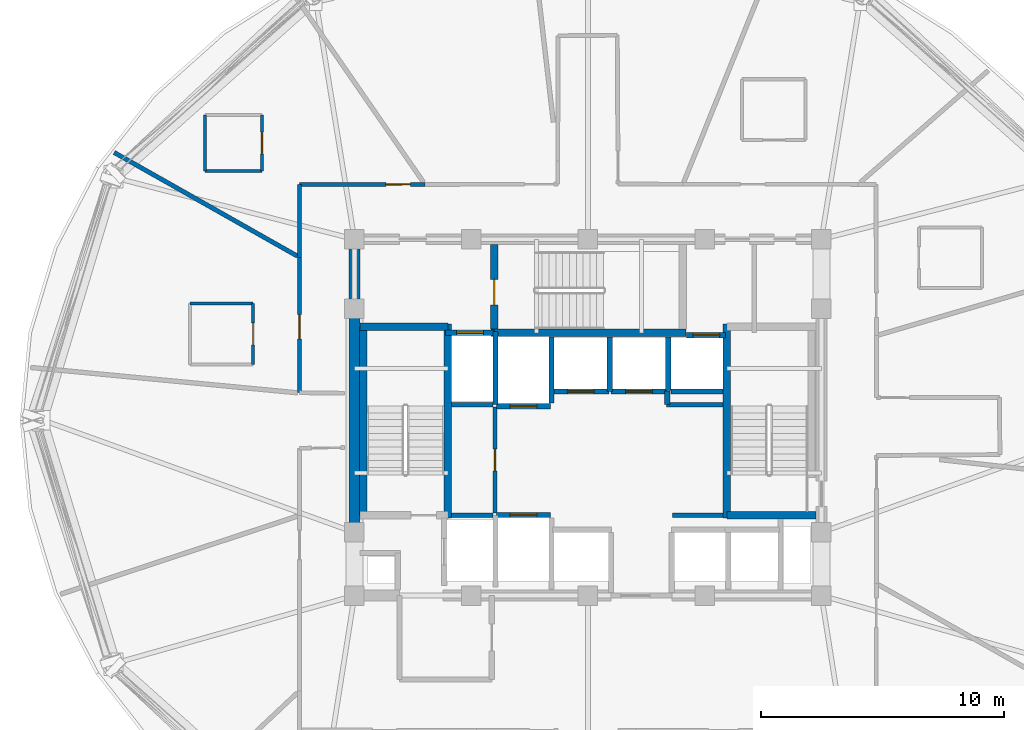
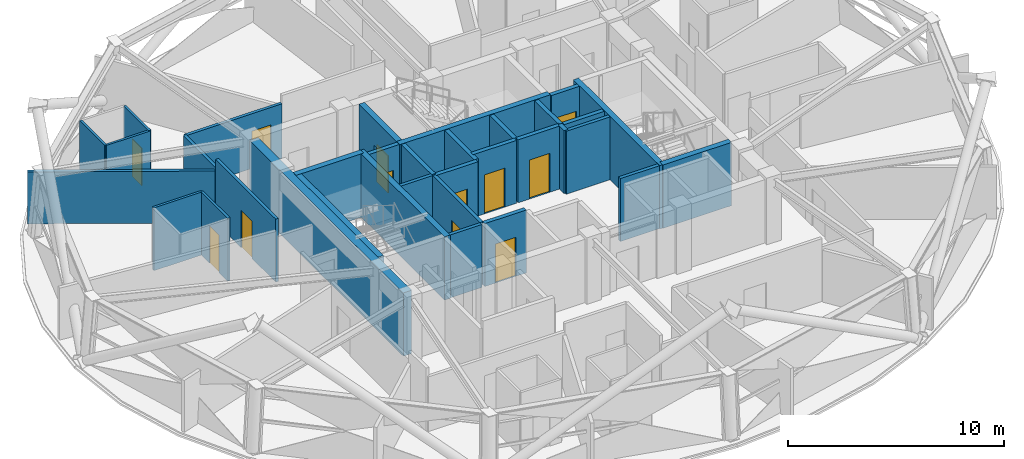
# One storey, part 6 of 12: 34 walls, 12 doors, 12 openings.
"""IFC4 building model written with IfcOpenShell, lengths in metres."""

from ifc_helpers import new_model, si_unit, direction, frame, frame_2d, origin, place, context, subcontext, project, spatial, rectangle, extrude, material, layer, layer_set, type_object, element, fill, save


model = new_model("IFC4")

# Units and contexts
model_context = context("Model", 3, precision=1e-05, world=origin(), true_north=direction((0.0, 1.0)))
body_context = subcontext(model_context, "Body", "Model", "MODEL_VIEW")
ifc_project = project(units=[si_unit("LENGTHUNIT", "METRE"), si_unit("AREAUNIT", "SQUARE_METRE"), si_unit("VOLUMEUNIT", "CUBIC_METRE"), si_unit("PLANEANGLEUNIT", "RADIAN"), si_unit("MASSUNIT", "GRAM", prefix="KILO")], contexts=[model_context])

# Site, building, storey
site_placement = place(None, origin())
site = spatial("IfcSite", under=ifc_project, at=site_placement, CompositionType="ELEMENT")
building_placement = place(site_placement, origin())
building = spatial("IfcBuilding", under=site, at=building_placement, Name="Vantalir Tower", CompositionType="ELEMENT")
storey_placement = place(building_placement, frame((0.0, 0.0, 197.39990234375)))
storey = spatial("IfcBuildingStorey", under=building, at=storey_placement, Name="L49", CompositionType="ELEMENT", Elevation=197.39990234375)

# Walls
ifc_material_1 = material(Name="Moisture-resistant en-suite partition", Category="gypsum")
ifc_layer_1 = layer(ifc_material_1, 0.125)
ifc_layer_set_1 = layer_set([ifc_layer_1], Name="Moisture-resistant en-suite partition")
wall_type_1 = type_object("IfcWallType", Name="WL-BATH-125", PredefinedType="PARTITIONING", material=ifc_layer_set_1)
wall_1_placement = place(storey_placement, frame((15.7470703125, 35.258056640625, 0.0), z_axis=(0.0, 0.0, 1.0), x_axis=(1.0, 0.0, 0.0)))
element("IfcWall", 1, at=wall_1_placement, inside=storey, type_object=wall_type_1, Name="L49 En-suite 05 South Wall", PredefinedType="PARTITIONING", context=body_context, shape_type="SweptSolid", body=[
    extrude(rectangle(XDim=2.349853515625, YDim=0.125, at=frame_2d((1.1748046875, 0.0))), origin(), (0.0, 0.0, 1.0), 3.550048828125),
])
wall_2_placement = place(storey_placement, frame((15.7470703125, 35.258056640625, 0.0), z_axis=(0.0, 0.0, 1.0), x_axis=(0.0, 1.0, 0.0)))
element("IfcWall", 2, at=wall_2_placement, inside=storey, type_object=wall_type_1, Name="L49 En-suite 05 West Wall", PredefinedType="PARTITIONING", context=body_context, shape_type="SweptSolid", body=[
    extrude(rectangle(XDim=2.300048828125, YDim=0.125, at=frame_2d((1.14990234375, 0.0))), origin(), (0.0, 0.0, 1.0), 3.550048828125),
])

# Wall, opening, door
wall_3_placement = place(storey_placement, frame((18.096923828125, 35.258056640625, 0.0), z_axis=(0.0, 0.0, 1.0), x_axis=(0.0, 1.0, 0.0)))
wall_3 = element("IfcWall", 3, at=wall_3_placement, inside=storey, type_object=wall_type_1, Name="L49 En-suite 05 East Wall", PredefinedType="PARTITIONING", context=body_context, shape_type="SweptSolid", body=[
    extrude(rectangle(XDim=2.300048828125, YDim=0.125, at=frame_2d((1.14990234375, 0.0))), origin(), (0.0, 0.0, 1.0), 3.550048828125),
])
opening_1_placement = place(wall_3_placement, frame((0.699951171875, 0.0, 0.0)))
opening_1 = element("IfcOpeningElement", 4, at=opening_1_placement, cuts=wall_3, Name="Opening D-WC", PredefinedType="OPENING", context=body_context, shape_type="SweptSolid", body=[
    extrude(rectangle(XDim=0.89990234375, YDim=2.10009765625, at=frame_2d((0.449951171875, 1.050048828125))), frame((0.0, 0.072509765625, 0.0), z_axis=(0.0, -1.0, 0.0), x_axis=(1.0, 0.0, 0.0)), (0.0, 0.0, 1.0), 0.14501953125),
])
ifc_material_2 = material(Name="Moisture-resistant hardwood door", Category="wood")
door_type_1 = type_object("IfcDoorType", Name="DR-ENSUITE-900", OperationType="NOTDEFINED", PredefinedType="DOOR", material=ifc_material_2)
door_1_placement = place(opening_1_placement, origin())
door_1 = element("IfcDoor", 5, at=door_1_placement, inside=storey, type_object=door_type_1, Name="L49 En-suite 05 Door", OperationType="SINGLE_SWING_LEFT", OverallHeight=2.10009765625, OverallWidth=0.89990234375, PredefinedType="DOOR", context=body_context, shape_type="SweptSolid", body=[
    extrude(rectangle(XDim=0.89990234375, YDim=2.10009765625, at=frame_2d((0.449951171875, 1.050048828125))), frame((0.0, 0.02490234375, 0.0), z_axis=(0.0, -1.0, 0.0), x_axis=(1.0, 0.0, 0.0)), (0.0, 0.0, 1.0), 0.050048828125),
])
fill(opening_1, door_1)

# Wall
wall_4_placement = place(storey_placement, frame((15.135986328125, 29.80908203125, 0.0), z_axis=(0.0, 0.0, 1.0), x_axis=(1.0, 0.0, 0.0)))
element("IfcWall", 6, at=wall_4_placement, inside=storey, type_object=wall_type_1, Name="L49 En-suite 06 North Wall", PredefinedType="PARTITIONING", context=body_context, shape_type="SweptSolid", body=[
    extrude(rectangle(XDim=2.60009765625, YDim=0.125, at=frame_2d((1.300048828125, 0.0))), origin(), (0.0, 0.0, 1.0), 3.550048828125),
])

# Wall, opening, door
wall_5_placement = place(storey_placement, frame((17.736083984375, 27.30908203125, 0.0), z_axis=(0.0, 0.0, 1.0), x_axis=(0.0, 1.0, 0.0)))
wall_5 = element("IfcWall", 7, at=wall_5_placement, inside=storey, type_object=wall_type_1, Name="L49 En-suite 06 East Wall", PredefinedType="PARTITIONING", context=body_context, shape_type="SweptSolid", body=[
    extrude(rectangle(XDim=2.5, YDim=0.125, at=frame_2d((1.25, 0.0))), origin(), (0.0, 0.0, 1.0), 3.550048828125),
])
opening_2_placement = place(wall_5_placement, frame((0.800048828125, 0.0, 0.0)))
opening_2 = element("IfcOpeningElement", 8, at=opening_2_placement, cuts=wall_5, Name="Opening D-WC", PredefinedType="OPENING", context=body_context, shape_type="SweptSolid", body=[
    extrude(rectangle(XDim=0.89990234375, YDim=2.10009765625, at=frame_2d((0.449951171875, 1.050048828125))), frame((0.0, 0.072509765625, 0.0), z_axis=(0.0, -1.0, 0.0), x_axis=(1.0, 0.0, 0.0)), (0.0, 0.0, 1.0), 0.14501953125),
])
door_2_placement = place(opening_2_placement, origin())
door_2 = element("IfcDoor", 9, at=door_2_placement, inside=storey, type_object=door_type_1, Name="L49 En-suite 06 Door", OperationType="SINGLE_SWING_RIGHT", OverallHeight=2.10009765625, OverallWidth=0.89990234375, PredefinedType="DOOR", context=body_context, shape_type="SweptSolid", body=[
    extrude(rectangle(XDim=0.89990234375, YDim=2.10009765625, at=frame_2d((0.449951171875, 1.050048828125))), frame((0.0, 0.02490234375, 0.0), z_axis=(0.0, -1.0, 0.0), x_axis=(1.0, 0.0, 0.0)), (0.0, 0.0, 1.0), 0.050048828125),
])
fill(opening_2, door_2)

# Wall
ifc_material_3 = material(Name="Concrete C50/60", Category="concrete")
ifc_layer_2 = layer(ifc_material_3, 0.449951171875)
ifc_layer_set_2 = layer_set([ifc_layer_2], Name="Concrete C50/60")
wall_type_2 = type_object("IfcWallType", Name="WL-CORE-450", PredefinedType="SHEAR", material=ifc_layer_set_2)
wall_6_placement = place(storey_placement, frame((21.89990234375, 18.02490234375, 0.0), z_axis=(0.0, 0.0, 1.0), x_axis=(0.0, 1.0, 0.0)))
element("IfcWall", 10, at=wall_6_placement, inside=storey, type_object=wall_type_2, Name="L49 Core Shear Wall West", PredefinedType="SHEAR", context=body_context, shape_type="SweptSolid", body=[
    extrude(rectangle(XDim=14.2001953125, YDim=0.449951171875, at=frame_2d((7.10009765625, 0.0))), origin(), (0.0, 0.0, 1.0), 3.570068359375),
])

# Wall, opening, door
ifc_material_4 = material(Name="Fire-rated hotel corridor acoustic partition", Category="gypsum")
ifc_layer_3 = layer(ifc_material_4, 0.159912109375)
ifc_layer_set_3 = layer_set([ifc_layer_3], Name="Fire-rated hotel corridor acoustic partition")
wall_type_3 = type_object("IfcWallType", Name="WL-CORR-160", PredefinedType="PARTITIONING", material=ifc_layer_set_3)
wall_7_placement = place(storey_placement, frame((19.635986328125, 26.14208984375, 0.0), z_axis=(0.0, 0.0, 1.0), x_axis=(0.000921294687, 0.999999575608, 0.0)))
wall_7 = element("IfcWall", 11, at=wall_7_placement, inside=storey, type_object=wall_type_3, Name="L49 Corridor Partition 02", PredefinedType="PARTITIONING", context=body_context, shape_type="SweptSolid", body=[
    extrude(rectangle(XDim=5.56494140625, YDim=0.159912109375, at=frame_2d((2.782470703125, 0.0))), origin(), (0.0, 0.0, 1.0), 3.550048828125),
])
opening_3_placement = place(wall_7_placement, frame((2.208984375, 0.0, 0.0)))
opening_3 = element("IfcOpeningElement", 12, at=opening_3_placement, cuts=wall_7, Name="Opening D-GUEST", PredefinedType="OPENING", context=body_context, shape_type="SweptSolid", body=[
    extrude(rectangle(XDim=1.0, YDim=2.10009765625, at=frame_2d((0.5, 1.050048828125))), frame((0.0, 0.08984375, 0.0), z_axis=(0.0, -1.0, 0.0), x_axis=(1.0, 0.0, 0.0)), (0.0, 0.0, 1.0), 0.179931640625),
])
ifc_material_5 = material(Name="Solid-core teak veneer acoustic fire door", Category="wood")
door_type_2 = type_object("IfcDoorType", Name="DR-GUEST-ENTRY-1000", OperationType="NOTDEFINED", PredefinedType="DOOR", material=ifc_material_5)
door_3_placement = place(opening_3_placement, origin())
door_3 = element("IfcDoor", 13, at=door_3_placement, inside=storey, type_object=door_type_2, Name="L49 Deluxe King Hotel Room 06 Door", OperationType="SINGLE_SWING_LEFT", OverallHeight=2.10009765625, OverallWidth=1.0, PredefinedType="DOOR", context=body_context, shape_type="SweptSolid", body=[
    extrude(rectangle(XDim=1.0, YDim=2.10009765625, at=frame_2d((0.5, 1.050048828125))), frame((0.0, 0.02490234375, 0.0), z_axis=(0.0, -1.0, 0.0), x_axis=(1.0, 0.0, 0.0)), (0.0, 0.0, 1.0), 0.050048828125),
])
fill(opening_3, door_3)

# Wall
wall_8_placement = place(storey_placement, frame((19.64111328125, 31.70703125, 0.0), z_axis=(0.0, 0.0, 1.0), x_axis=(0.000978872196, 0.999999520904, 0.0)))
element("IfcWall", 14, at=wall_8_placement, inside=storey, type_object=wall_type_3, Name="L49 Corridor Partition 03", PredefinedType="PARTITIONING", context=body_context, shape_type="SweptSolid", body=[
    extrude(rectangle(XDim=2.992919921875, YDim=0.159912109375, at=frame_2d((1.49658203125, 0.0))), origin(), (0.0, 0.0, 1.0), 3.0810546875),
])

# Wall, opening, door
wall_9_placement = place(storey_placement, frame((19.64404296875, 34.699951171875, 0.0), z_axis=(0.0, 0.0, 1.0), x_axis=(0.999999056487, 0.001373690144, 0.0)))
wall_9 = element("IfcWall", 15, at=wall_9_placement, inside=storey, type_object=wall_type_3, Name="L49 Corridor Partition 04", PredefinedType="PARTITIONING", context=body_context, shape_type="SweptSolid", body=[
    extrude(rectangle(XDim=5.154052734375, YDim=0.159912109375, at=frame_2d((2.5771484375, 0.0))), origin(), (0.0, 0.0, 1.0), 3.0810546875),
])
opening_4_placement = place(wall_9_placement, frame((3.552001953125, 0.0, 0.0)))
opening_4 = element("IfcOpeningElement", 16, at=opening_4_placement, cuts=wall_9, Name="Opening D-GUEST", PredefinedType="OPENING", context=body_context, shape_type="SweptSolid", body=[
    extrude(rectangle(XDim=1.0, YDim=2.10009765625, at=frame_2d((0.5, 1.050048828125))), frame((0.0, 0.08984375, 0.0), z_axis=(0.0, -1.0, 0.0), x_axis=(1.0, 0.0, 0.0)), (0.0, 0.0, 1.0), 0.179931640625),
])
door_4_placement = place(opening_4_placement, origin())
door_4 = element("IfcDoor", 17, at=door_4_placement, inside=storey, type_object=door_type_2, Name="L49 Twin Queen Hotel Room 05 Door", OperationType="SINGLE_SWING_RIGHT", OverallHeight=2.10009765625, OverallWidth=1.0, PredefinedType="DOOR", context=body_context, shape_type="SweptSolid", body=[
    extrude(rectangle(XDim=1.0, YDim=2.10009765625, at=frame_2d((0.5, 1.050048828125))), frame((0.0, 0.02490234375, 0.0), z_axis=(0.0, -1.0, 0.0), x_axis=(1.0, 0.0, 0.0)), (0.0, 0.0, 1.0), 0.050048828125),
])
fill(opening_4, door_4)

# Walls
ifc_material_6 = material(Name="Concrete blockwork with fireboard lining", Category="masonry")
ifc_layer_4 = layer(ifc_material_6, 0.219970703125)
ifc_layer_set_4 = layer_set([ifc_layer_4], Name="Concrete blockwork with fireboard lining")
wall_type_4 = type_object("IfcWallType", Name="WL-FFL-220", PredefinedType="PARTITIONING", material=ifc_layer_set_4)
wall_10_placement = place(storey_placement, frame((30.0, 25.7099609375, 0.0), z_axis=(0.0, 0.0, 1.0), x_axis=(0.0, 1.0, 0.0)))
element("IfcWall", 18, at=wall_10_placement, inside=storey, type_object=wall_type_4, Name="L49 Service Lift SV2 East Shaft Wall", PredefinedType="PARTITIONING", context=body_context, shape_type="SweptSolid", body=[
    extrude(rectangle(XDim=2.72998046875, YDim=0.219970703125, at=frame_2d((1.364990234375, 0.0))), origin(), (0.0, 0.0, 1.0), 3.545166015625),
])
wall_11_placement = place(storey_placement, frame((32.39990234375, 26.199951171875, 0.0), z_axis=(0.0, 0.0, 1.0), x_axis=(0.0, 1.0, 0.0)))
element("IfcWall", 19, at=wall_11_placement, inside=storey, type_object=wall_type_4, Name="L49 High-Rise Lift PL-H1/H2 Shaft Divider", PredefinedType="PARTITIONING", context=body_context, shape_type="SweptSolid", body=[
    extrude(rectangle(XDim=2.239990234375, YDim=0.219970703125, at=frame_2d((1.1201171875, 0.0))), origin(), (0.0, 0.0, 1.0), 3.545166015625),
])
wall_12_placement = place(storey_placement, frame((34.800048828125, 26.22998046875, 0.0), z_axis=(0.0, 0.0, 1.0), x_axis=(0.0, 1.0, 0.0)))
element("IfcWall", 20, at=wall_12_placement, inside=storey, type_object=wall_type_4, Name="L49 High-Rise Lift PL-H2/H3 Shaft Divider", PredefinedType="PARTITIONING", context=body_context, shape_type="SweptSolid", body=[
    extrude(rectangle(XDim=2.2099609375, YDim=0.219970703125, at=frame_2d((1.10498046875, 0.0))), origin(), (0.0, 0.0, 1.0), 3.545166015625),
])
wall_13_placement = place(storey_placement, frame((34.909912109375, 26.18994140625, 0.0), z_axis=(0.0, 0.0, 1.0), x_axis=(1.0, 0.0, 0.0)))
element("IfcWall", 21, at=wall_13_placement, inside=storey, type_object=wall_type_4, Name="L49 High-Rise Lift PL-H3 Rear Shaft Wall", PredefinedType="PARTITIONING", context=body_context, shape_type="SweptSolid", body=[
    extrude(rectangle(XDim=2.14013671875, YDim=0.219970703125, at=frame_2d((1.070068359375, 0.0))), origin(), (0.0, 0.0, 1.0), 3.545166015625),
])

# Wall, opening, door
wall_14_placement = place(storey_placement, frame((25.639892578125, 28.610107421875, 0.0), z_axis=(0.0, 0.0, 1.0), x_axis=(1.0, 0.0, 0.0)))
wall_14 = element("IfcWall", 22, at=wall_14_placement, inside=storey, type_object=wall_type_4, Name="L49 Lift FL2 Shaft Front Wall", PredefinedType="PARTITIONING", context=body_context, shape_type="SweptSolid", body=[
    extrude(rectangle(XDim=2.02001953125, YDim=0.219970703125, at=frame_2d((1.010009765625, 0.0))), origin(), (0.0, 0.0, 1.0), 3.550048828125),
])
opening_5_placement = place(wall_14_placement, frame((0.4599609375, 0.0, 0.0)))
opening_5 = element("IfcOpeningElement", 23, at=opening_5_placement, cuts=wall_14, Name="Opening LD-FL2", PredefinedType="OPENING", context=body_context, shape_type="SweptSolid", body=[
    extrude(rectangle(XDim=1.10009765625, YDim=2.199951171875, at=frame_2d((0.550048828125, 1.10009765625))), frame((0.0, 0.119873046875, 0.0), z_axis=(0.0, -1.0, 0.0), x_axis=(1.0, 0.0, 0.0)), (0.0, 0.0, 1.0), 0.239990234375),
])
ifc_material_7 = material(Name="Brushed stainless-steel sliding lift landing door", Category="steel")
door_type_3 = type_object("IfcDoorType", Name="DR-LIFT-LANDING-1100", OperationType="DOUBLE_DOOR_SLIDING", PredefinedType="DOOR", material=ifc_material_7)
door_5_placement = place(opening_5_placement, origin())
door_5 = element("IfcDoor", 24, at=door_5_placement, inside=storey, type_object=door_type_3, Name="L49 Lift Landing Door FL2", OperationType="DOUBLE_DOOR_SLIDING", OverallHeight=2.199951171875, OverallWidth=1.10009765625, PredefinedType="DOOR", context=body_context, shape_type="SweptSolid", body=[
    extrude(rectangle(XDim=1.10009765625, YDim=2.199951171875, at=frame_2d((0.550048828125, 1.10009765625))), frame((0.0, 0.02490234375, 0.0), z_axis=(0.0, -1.0, 0.0), x_axis=(1.0, 0.0, 0.0)), (0.0, 0.0, 1.0), 0.050048828125),
])
fill(opening_5, door_5)

wall_15_placement = place(storey_placement, frame((27.739990234375, 21.110107421875, 0.0), z_axis=(0.0, 0.0, 1.0), x_axis=(1.0, 0.0, 0.0)))
wall_15 = element("IfcWall", 25, at=wall_15_placement, inside=storey, type_object=wall_type_4, Name="L49 Lift SV1 Shaft Front Wall", PredefinedType="PARTITIONING", context=body_context, shape_type="SweptSolid", body=[
    extrude(rectangle(XDim=2.219970703125, YDim=0.219970703125, at=frame_2d((1.10986328125, 0.0))), origin(), (0.0, 0.0, 1.0), 3.550048828125),
])
opening_6_placement = place(wall_15_placement, frame((0.56005859375, 0.0, 0.0)))
opening_6 = element("IfcOpeningElement", 26, at=opening_6_placement, cuts=wall_15, Name="Opening LD-SV1", PredefinedType="OPENING", context=body_context, shape_type="SweptSolid", body=[
    extrude(rectangle(XDim=1.10009765625, YDim=2.199951171875, at=frame_2d((0.550048828125, 1.10009765625))), frame((0.0, 0.119873046875, 0.0), z_axis=(0.0, -1.0, 0.0), x_axis=(1.0, 0.0, 0.0)), (0.0, 0.0, 1.0), 0.239990234375),
])
door_6_placement = place(opening_6_placement, origin())
door_6 = element("IfcDoor", 27, at=door_6_placement, inside=storey, type_object=door_type_3, Name="L49 Lift Landing Door SV1", OperationType="DOUBLE_DOOR_SLIDING", OverallHeight=2.199951171875, OverallWidth=1.10009765625, PredefinedType="DOOR", context=body_context, shape_type="SweptSolid", body=[
    extrude(rectangle(XDim=1.10009765625, YDim=2.199951171875, at=frame_2d((0.550048828125, 1.10009765625))), frame((0.0, 0.02490234375, 0.0), z_axis=(0.0, -1.0, 0.0), x_axis=(1.0, 0.0, 0.0)), (0.0, 0.0, 1.0), 0.050048828125),
])
fill(opening_6, door_6)

wall_16_placement = place(storey_placement, frame((27.739990234375, 25.590087890625, 0.0), z_axis=(0.0, 0.0, 1.0), x_axis=(1.0, 0.0, 0.0)))
wall_16 = element("IfcWall", 28, at=wall_16_placement, inside=storey, type_object=wall_type_4, Name="L49 Lift SV2 Shaft Front Wall", PredefinedType="PARTITIONING", context=body_context, shape_type="SweptSolid", body=[
    extrude(rectangle(XDim=2.219970703125, YDim=0.219970703125, at=frame_2d((1.10986328125, 0.0))), origin(), (0.0, 0.0, 1.0), 3.550048828125),
])
opening_7_placement = place(wall_16_placement, frame((0.56005859375, 0.0, 0.0)))
opening_7 = element("IfcOpeningElement", 29, at=opening_7_placement, cuts=wall_16, Name="Opening LD-SV2", PredefinedType="OPENING", context=body_context, shape_type="SweptSolid", body=[
    extrude(rectangle(XDim=1.10009765625, YDim=2.199951171875, at=frame_2d((0.550048828125, 1.10009765625))), frame((0.0, 0.119873046875, 0.0), z_axis=(0.0, -1.0, 0.0), x_axis=(1.0, 0.0, 0.0)), (0.0, 0.0, 1.0), 0.239990234375),
])
door_7_placement = place(opening_7_placement, frame((1.10009765625, 0.0, 0.0), z_axis=(0.0, 0.0, 1.0), x_axis=(-1.0, 0.0, 0.0)))
door_7 = element("IfcDoor", 30, at=door_7_placement, inside=storey, type_object=door_type_3, Name="L49 Lift Landing Door SV2", OperationType="DOUBLE_DOOR_SLIDING", OverallHeight=2.199951171875, OverallWidth=1.10009765625, PredefinedType="DOOR", context=body_context, shape_type="SweptSolid", body=[
    extrude(rectangle(XDim=1.10009765625, YDim=2.199951171875, at=frame_2d((0.550048828125, 1.10009765625))), frame((0.0, 0.02490234375, 0.0), z_axis=(0.0, -1.0, 0.0), x_axis=(1.0, 0.0, 0.0)), (0.0, 0.0, 1.0), 0.050048828125),
])
fill(opening_7, door_7)

wall_17_placement = place(storey_placement, frame((30.0400390625, 26.18994140625, 0.0), z_axis=(0.0, 0.0, 1.0), x_axis=(1.0, 0.0, 0.0)))
wall_17 = element("IfcWall", 31, at=wall_17_placement, inside=storey, type_object=wall_type_4, Name="L49 Lift PL-H1 Shaft Front Wall", PredefinedType="PARTITIONING", context=body_context, shape_type="SweptSolid", body=[
    extrude(rectangle(XDim=2.320068359375, YDim=0.219970703125, at=frame_2d((1.16015625, 0.0))), origin(), (0.0, 0.0, 1.0), 3.550048828125),
])
opening_8_placement = place(wall_17_placement, frame((0.610107421875, 0.0, 0.0)))
opening_8 = element("IfcOpeningElement", 32, at=opening_8_placement, cuts=wall_17, Name="Opening LD-PL-H1", PredefinedType="OPENING", context=body_context, shape_type="SweptSolid", body=[
    extrude(rectangle(XDim=1.10009765625, YDim=2.199951171875, at=frame_2d((0.550048828125, 1.10009765625))), frame((0.0, 0.119873046875, 0.0), z_axis=(0.0, -1.0, 0.0), x_axis=(1.0, 0.0, 0.0)), (0.0, 0.0, 1.0), 0.239990234375),
])
door_8_placement = place(opening_8_placement, frame((1.10009765625, 0.0, 0.0), z_axis=(0.0, 0.0, 1.0), x_axis=(-1.0, 0.0, 0.0)))
door_8 = element("IfcDoor", 33, at=door_8_placement, inside=storey, type_object=door_type_3, Name="L49 Lift Landing Door PL-H1", OperationType="DOUBLE_DOOR_SLIDING", OverallHeight=2.199951171875, OverallWidth=1.10009765625, PredefinedType="DOOR", context=body_context, shape_type="SweptSolid", body=[
    extrude(rectangle(XDim=1.10009765625, YDim=2.199951171875, at=frame_2d((0.550048828125, 1.10009765625))), frame((0.0, 0.02490234375, 0.0), z_axis=(0.0, -1.0, 0.0), x_axis=(1.0, 0.0, 0.0)), (0.0, 0.0, 1.0), 0.050048828125),
])
fill(opening_8, door_8)

wall_18_placement = place(storey_placement, frame((32.43994140625, 26.18994140625, 0.0), z_axis=(0.0, 0.0, 1.0), x_axis=(1.0, 0.0, 0.0)))
wall_18 = element("IfcWall", 34, at=wall_18_placement, inside=storey, type_object=wall_type_4, Name="L49 Lift PL-H2 Shaft Front Wall", PredefinedType="PARTITIONING", context=body_context, shape_type="SweptSolid", body=[
    extrude(rectangle(XDim=2.320068359375, YDim=0.219970703125, at=frame_2d((1.16015625, 0.0))), origin(), (0.0, 0.0, 1.0), 3.550048828125),
])
opening_9_placement = place(wall_18_placement, frame((0.610107421875, 0.0, 0.0)))
opening_9 = element("IfcOpeningElement", 35, at=opening_9_placement, cuts=wall_18, Name="Opening LD-PL-H2", PredefinedType="OPENING", context=body_context, shape_type="SweptSolid", body=[
    extrude(rectangle(XDim=1.10009765625, YDim=2.199951171875, at=frame_2d((0.550048828125, 1.10009765625))), frame((0.0, 0.119873046875, 0.0), z_axis=(0.0, -1.0, 0.0), x_axis=(1.0, 0.0, 0.0)), (0.0, 0.0, 1.0), 0.239990234375),
])
door_9_placement = place(opening_9_placement, frame((1.10009765625, 0.0, 0.0), z_axis=(0.0, 0.0, 1.0), x_axis=(-1.0, 0.0, 0.0)))
door_9 = element("IfcDoor", 36, at=door_9_placement, inside=storey, type_object=door_type_3, Name="L49 Lift Landing Door PL-H2", OperationType="DOUBLE_DOOR_SLIDING", OverallHeight=2.199951171875, OverallWidth=1.10009765625, PredefinedType="DOOR", context=body_context, shape_type="SweptSolid", body=[
    extrude(rectangle(XDim=1.10009765625, YDim=2.199951171875, at=frame_2d((0.550048828125, 1.10009765625))), frame((0.0, 0.02490234375, 0.0), z_axis=(0.0, -1.0, 0.0), x_axis=(1.0, 0.0, 0.0)), (0.0, 0.0, 1.0), 0.050048828125),
])
fill(opening_9, door_9)

wall_19_placement = place(storey_placement, frame((35.56005859375, 28.510009765625, 0.0), z_axis=(0.0, 0.0, 1.0), x_axis=(1.0, 0.0, 0.0)))
wall_19 = element("IfcWall", 37, at=wall_19_placement, inside=storey, type_object=wall_type_4, Name="L49 Lift PL-H3 Shaft Front Wall", PredefinedType="PARTITIONING", context=body_context, shape_type="SweptSolid", body=[
    extrude(rectangle(XDim=1.599853515625, YDim=0.219970703125, at=frame_2d((0.7998046875, 0.0))), origin(), (0.0, 0.0, 1.0), 3.550048828125),
])
opening_10_placement = place(wall_19_placement, frame((0.25, 0.0, 0.0)))
opening_10 = element("IfcOpeningElement", 38, at=opening_10_placement, cuts=wall_19, Name="Opening LD-PL-H3", PredefinedType="OPENING", context=body_context, shape_type="SweptSolid", body=[
    extrude(rectangle(XDim=1.10009765625, YDim=2.199951171875, at=frame_2d((0.550048828125, 1.10009765625))), frame((0.0, 0.119873046875, 0.0), z_axis=(0.0, -1.0, 0.0), x_axis=(1.0, 0.0, 0.0)), (0.0, 0.0, 1.0), 0.239990234375),
])
door_10_placement = place(opening_10_placement, origin())
door_10 = element("IfcDoor", 39, at=door_10_placement, inside=storey, type_object=door_type_3, Name="L49 Lift Landing Door PL-H3", OperationType="DOUBLE_DOOR_SLIDING", OverallHeight=2.199951171875, OverallWidth=1.10009765625, PredefinedType="DOOR", context=body_context, shape_type="SweptSolid", body=[
    extrude(rectangle(XDim=1.10009765625, YDim=2.199951171875, at=frame_2d((0.550048828125, 1.10009765625))), frame((0.0, 0.02490234375, 0.0), z_axis=(0.0, -1.0, 0.0), x_axis=(1.0, 0.0, 0.0)), (0.0, 0.0, 1.0), 0.050048828125),
])
fill(opening_10, door_10)

# Walls
wall_20_placement = place(storey_placement, frame((27.699951171875, 25.64990234375, 0.0), z_axis=(0.0, 0.0, 1.0), x_axis=(0.0, 1.0, 0.0)))
element("IfcWall", 40, at=wall_20_placement, inside=storey, type_object=wall_type_4, Name="L49 Fire Lift FL2 Dividing Wall", PredefinedType="PARTITIONING", context=body_context, shape_type="SweptSolid", body=[
    extrude(rectangle(XDim=3.0, YDim=0.219970703125, at=frame_2d((1.5, 0.0))), origin(), (0.0, 0.0, 1.0), 3.550048828125),
])
wall_21_placement = place(storey_placement, frame((34.760009765625, 25.64990234375, 0.0), z_axis=(0.0, 0.0, 1.0), x_axis=(0.0, 1.0, 0.0)))
element("IfcWall", 41, at=wall_21_placement, inside=storey, type_object=wall_type_4, Name="L49 High-Rise Shaft Shoulder Wall", PredefinedType="PARTITIONING", context=body_context, shape_type="SweptSolid", body=[
    extrude(rectangle(XDim=0.570068359375, YDim=0.219970703125, at=frame_2d((0.28515625, 0.0))), origin(), (0.0, 0.0, 1.0), 3.550048828125),
])
ifc_material_8 = material(Name="Twin-stud acoustic fire-rated gypsum partition", Category="gypsum")
ifc_layer_5 = layer(ifc_material_8, 0.179931640625)
ifc_layer_set_5 = layer_set([ifc_layer_5], Name="Twin-stud acoustic fire-rated gypsum partition")
wall_type_5 = type_object("IfcWallType", Name="WL-GUEST-180", PredefinedType="PARTITIONING", material=ifc_layer_set_5)
for number, where, z_axis, x_axis, name in (
    (42, (25.889892578125, 21.10009765625, 0.0), (0.0, 0.0, 1.0), (1.0, 0.0, 0.0), "L49 Freed West Core South Wall"),
    (43, (25.889892578125, 25.64990234375, 0.0), (0.0, 0.0, 1.0), (1.0, 0.0, 0.0), "L49 Freed West Core North Wall"),
):
    element("IfcWall", number, at=place(storey_placement, frame(where, z_axis=z_axis, x_axis=x_axis)), inside=storey, type_object=wall_type_5, Name=name, PredefinedType="PARTITIONING", context=body_context, shape_type="SweptSolid", body=[
        extrude(rectangle(XDim=1.7001953125, YDim=0.179931640625, at=frame_2d((0.85009765625, 0.0))), origin(), (0.0, 0.0, 1.0), 3.550048828125),
    ])

# Wall, opening, door
wall_22_placement = place(storey_placement, frame((27.679931640625, 21.18994140625, 0.0), z_axis=(0.0, 0.0, 1.0), x_axis=(0.0, 1.0, 0.0)))
wall_22 = element("IfcWall", 44, at=wall_22_placement, inside=storey, type_object=wall_type_5, Name="L49 West Pantry East Wall", PredefinedType="PARTITIONING", context=body_context, shape_type="SweptSolid", body=[
    extrude(rectangle(XDim=4.3701171875, YDim=0.179931640625, at=frame_2d((2.18505859375, 0.0))), origin(), (0.0, 0.0, 1.0), 3.550048828125),
])
opening_11_placement = place(wall_22_placement, frame((1.735107421875, 0.0, 0.0)))
opening_11 = element("IfcOpeningElement", 45, at=opening_11_placement, cuts=wall_22, Name="Opening D-CR", PredefinedType="OPENING", context=body_context, shape_type="SweptSolid", body=[
    extrude(rectangle(XDim=0.89990234375, YDim=2.10009765625, at=frame_2d((0.449951171875, 1.050048828125))), frame((0.0, 0.099853515625, 0.0), z_axis=(0.0, -1.0, 0.0), x_axis=(1.0, 0.0, 0.0)), (0.0, 0.0, 1.0), 0.199951171875),
])
ifc_material_9 = material(Name="Fire-rated steel core service door", Category="steel")
door_type_4 = type_object("IfcDoorType", Name="DR-CORE-SERV-900", OperationType="NOTDEFINED", PredefinedType="DOOR", material=ifc_material_9)
door_11_placement = place(opening_11_placement, origin())
door_11 = element("IfcDoor", 46, at=door_11_placement, inside=storey, type_object=door_type_4, Name="L49 Core Pantry Door", OperationType="SINGLE_SWING_LEFT", OverallHeight=2.10009765625, OverallWidth=0.89990234375, PredefinedType="DOOR", context=body_context, shape_type="SweptSolid", body=[
    extrude(rectangle(XDim=0.89990234375, YDim=2.10009765625, at=frame_2d((0.449951171875, 1.050048828125))), frame((0.0, 0.02490234375, 0.0), z_axis=(0.0, -1.0, 0.0), x_axis=(1.0, 0.0, 0.0)), (0.0, 0.0, 1.0), 0.050048828125),
])
fill(opening_11, door_11)

# Walls
wall_23_placement = place(storey_placement, frame((34.97998046875, 21.10009765625, 0.0), z_axis=(0.0, 0.0, 1.0), x_axis=(1.0, 0.0, 0.0)))
element("IfcWall", 47, at=wall_23_placement, inside=storey, type_object=wall_type_5, Name="L49 Freed East Core South Wall", PredefinedType="PARTITIONING", context=body_context, shape_type="SweptSolid", body=[
    extrude(rectangle(XDim=2.080078125, YDim=0.179931640625, at=frame_2d((1.0400390625, 0.0))), origin(), (0.0, 0.0, 1.0), 3.550048828125),
])
wall_24_placement = place(storey_placement, frame((34.719970703125, 25.64990234375, 0.0), z_axis=(0.0, 0.0, 1.0), x_axis=(1.0, 0.0, 0.0)))
element("IfcWall", 48, at=wall_24_placement, inside=storey, type_object=wall_type_5, Name="L49 Freed East Core North Wall", PredefinedType="PARTITIONING", context=body_context, shape_type="SweptSolid", body=[
    extrude(rectangle(XDim=2.340087890625, YDim=0.179931640625, at=frame_2d((1.169921875, 0.0))), origin(), (0.0, 0.0, 1.0), 3.550048828125),
])
wall_25_placement = place(storey_placement, frame((19.56005859375, 31.7529296875, 0.0), z_axis=(0.0, 0.0, 1.0), x_axis=(-0.870416857611, 0.492315441549, 0.0)))
element("IfcWall", 49, at=wall_25_placement, inside=storey, type_object=wall_type_5, Name="L49 Radial Suite Partition 06", PredefinedType="PARTITIONING", context=body_context, shape_type="SweptSolid", body=[
    extrude(rectangle(XDim=8.661376953125, YDim=0.179931640625, at=frame_2d((4.33056640625, 0.0))), origin(), (0.0, 0.0, 1.0), 2.925048828125),
])
ifc_layer_6 = layer(ifc_material_3, 0.300048828125)
ifc_layer_set_6 = layer_set([ifc_layer_6], Name="Concrete C50/60")
wall_type_6 = type_object("IfcWallType", Name="WL-STAIR-300", PredefinedType="SHEAR", material=ifc_layer_set_6)
wall_26_placement = place(storey_placement, frame((22.125, 28.85009765625, 0.0), z_axis=(0.0, 0.0, 1.0), x_axis=(1.0, 0.0, 0.0)))
element("IfcWall", 50, at=wall_26_placement, inside=storey, type_object=wall_type_6, Name="L49 Stair ST1 North Wall", PredefinedType="SHEAR", context=body_context, shape_type="SweptSolid", body=[
    extrude(rectangle(XDim=3.614990234375, YDim=0.300048828125, at=frame_2d((1.8076171875, 0.0))), origin(), (0.0, 0.0, 1.0), 3.570068359375),
])
wall_27_placement = place(storey_placement, frame((25.739990234375, 20.97998046875, 0.0), z_axis=(0.0, 0.0, 1.0), x_axis=(0.0, 1.0, 0.0)))
element("IfcWall", 51, at=wall_27_placement, inside=storey, type_object=wall_type_6, Name="L49 Stair ST1 East Wall", PredefinedType="SHEAR", context=body_context, shape_type="SweptSolid", body=[
    extrude(rectangle(XDim=7.989990234375, YDim=0.300048828125, at=frame_2d((3.9951171875, 0.0))), origin(), (0.0, 0.0, 1.0), 3.570068359375),
])
wall_28_placement = place(storey_placement, frame((22.260009765625, 21.10009765625, 0.0), z_axis=(0.0, 0.0, 1.0), x_axis=(0.0, 1.0, 0.0)))
element("IfcWall", 52, at=wall_28_placement, inside=storey, type_object=wall_type_6, Name="L49 Stair ST1 West Liner Wall", PredefinedType="SHEAR", context=body_context, shape_type="SweptSolid", body=[
    extrude(rectangle(XDim=7.75, YDim=0.300048828125, at=frame_2d((3.875, 0.0))), origin(), (0.0, 0.0, 1.0), 3.570068359375),
])
wall_29_placement = place(storey_placement, frame((37.2099609375, 21.10009765625, 0.0), z_axis=(0.0, 0.0, 1.0), x_axis=(1.0, 0.0, 0.0)))
element("IfcWall", 53, at=wall_29_placement, inside=storey, type_object=wall_type_6, Name="L49 Stair ST2 South Wall", PredefinedType="SHEAR", context=body_context, shape_type="SweptSolid", body=[
    extrude(rectangle(XDim=3.6650390625, YDim=0.300048828125, at=frame_2d((1.83251953125, 0.0))), origin(), (0.0, 0.0, 1.0), 3.570068359375),
])
wall_30_placement = place(storey_placement, frame((37.2099609375, 20.97998046875, 0.0), z_axis=(0.0, 0.0, 1.0), x_axis=(0.0, 1.0, 0.0)))
element("IfcWall", 54, at=wall_30_placement, inside=storey, type_object=wall_type_6, Name="L49 Stair ST2 West Wall", PredefinedType="SHEAR", context=body_context, shape_type="SweptSolid", body=[
    extrude(rectangle(XDim=7.989990234375, YDim=0.300048828125, at=frame_2d((3.9951171875, 0.0))), origin(), (0.0, 0.0, 1.0), 3.570068359375),
])
wall_31_placement = place(storey_placement, frame((27.510009765625, 28.60009765625, 0.0), z_axis=(0.0, 0.0, 1.0), x_axis=(1.0, 0.0, 0.0)))
element("IfcWall", 55, at=wall_31_placement, inside=storey, type_object=wall_type_6, Name="L49 Stair ST3 South Wall", PredefinedType="SHEAR", context=body_context, shape_type="SweptSolid", body=[
    extrude(rectangle(XDim=8.030029296875, YDim=0.300048828125, at=frame_2d((4.01513671875, 0.0))), origin(), (0.0, 0.0, 1.0), 3.570068359375),
])

# Wall, opening, door
wall_32_placement = place(storey_placement, frame((27.64990234375, 28.75, 0.0), z_axis=(0.0, 0.0, 1.0), x_axis=(0.0, 1.0, 0.0)))
wall_32 = element("IfcWall", 56, at=wall_32_placement, inside=storey, type_object=wall_type_6, Name="L49 Stair ST3 West Wall", PredefinedType="SHEAR", context=body_context, shape_type="SweptSolid", body=[
    extrude(rectangle(XDim=3.47509765625, YDim=0.300048828125, at=frame_2d((1.737548828125, 0.0))), origin(), (0.0, 0.0, 1.0), 3.570068359375),
])
opening_12_placement = place(wall_32_placement, frame((1.0, 0.0, 0.0)))
opening_12 = element("IfcOpeningElement", 57, at=opening_12_placement, cuts=wall_32, Name="Opening D-ST", PredefinedType="OPENING", context=body_context, shape_type="SweptSolid", body=[
    extrude(rectangle(XDim=1.050048828125, YDim=2.10009765625, at=frame_2d((0.52490234375, 1.050048828125))), frame((0.0, 0.159912109375, 0.0), z_axis=(0.0, -1.0, 0.0), x_axis=(1.0, 0.0, 0.0)), (0.0, 0.0, 1.0), 0.320068359375),
])
ifc_material_10 = material(Name="Fire-rated steel door leaf", Category="steel")
door_type_5 = type_object("IfcDoorType", Name="DR-FIRE-STAIR-1050", OperationType="NOTDEFINED", PredefinedType="DOOR", material=ifc_material_10)
door_12_placement = place(opening_12_placement, frame((1.050048828125, 0.0, 0.0), z_axis=(0.0, 0.0, 1.0), x_axis=(-1.0, 0.0, 0.0)))
door_12 = element("IfcDoor", 58, at=door_12_placement, inside=storey, type_object=door_type_5, Name="L49 Exit Stair ST3 Fire Door", OperationType="SINGLE_SWING_RIGHT", OverallHeight=2.10009765625, OverallWidth=1.050048828125, PredefinedType="DOOR", context=body_context, shape_type="SweptSolid", body=[
    extrude(rectangle(XDim=1.050048828125, YDim=2.10009765625, at=frame_2d((0.52490234375, 1.050048828125))), frame((0.0, 0.02490234375, 0.0), z_axis=(0.0, -1.0, 0.0), x_axis=(1.0, 0.0, 0.0)), (0.0, 0.0, 1.0), 0.050048828125),
])
fill(opening_12, door_12)

save(model, "model.ifc")
